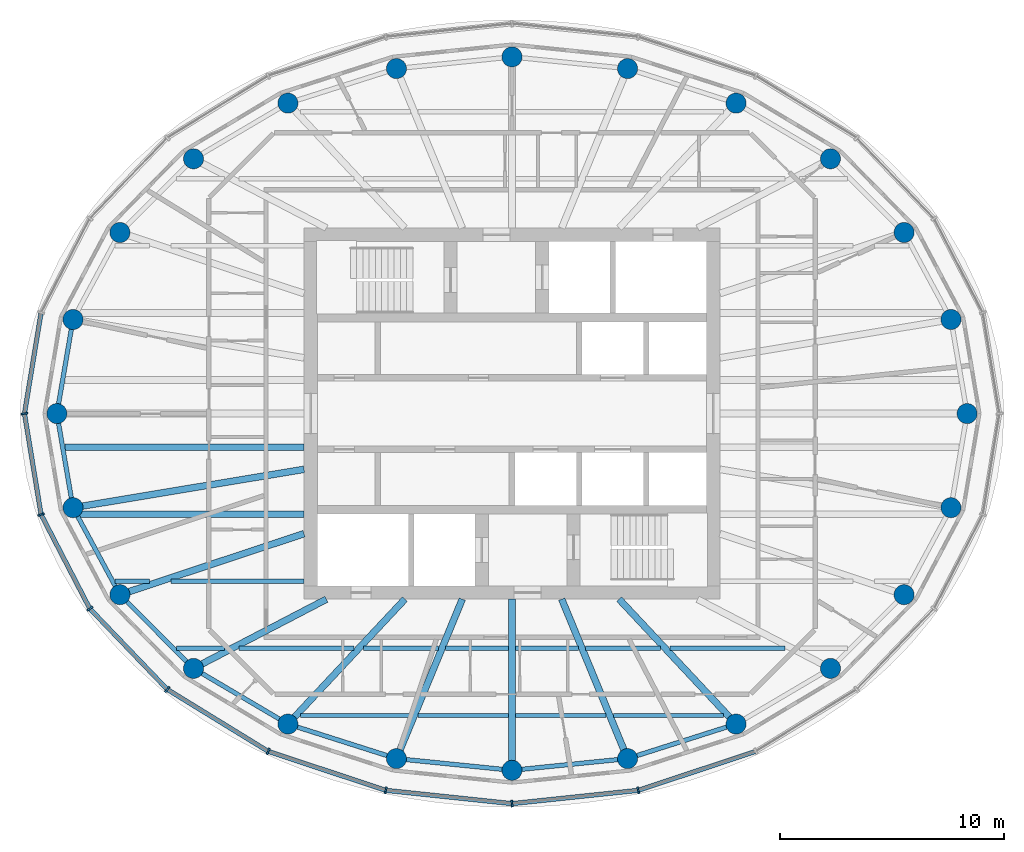
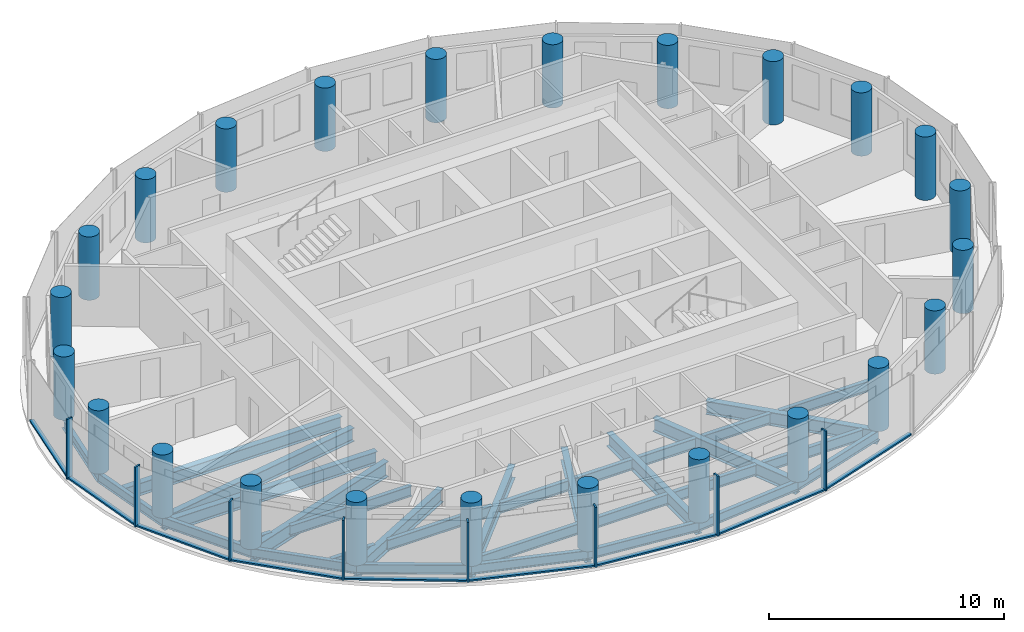
# One storey, part 1 of 11: 32 beams, 24 columns, 17 members, 3 elements without a shape of their own.
"""IFC4 building model written with IfcOpenShell, lengths in metres."""

from ifc_helpers import new_model, si_unit, direction, frame, origin, origin_2d, place, context, subcontext, project, spatial, rectangle, circle, i_section, extrude, material, material_profile, profile_set, type_object, element, aggregate, save


model = new_model("IFC4")

# Units and contexts
model_context = context("Model", 3, precision=1e-05, world=origin(), true_north=direction((0.0, 1.0)))
body_context = subcontext(model_context, "Body", "Model", "MODEL_VIEW")
ifc_project = project(units=[si_unit("LENGTHUNIT", "METRE"), si_unit("AREAUNIT", "SQUARE_METRE"), si_unit("VOLUMEUNIT", "CUBIC_METRE"), si_unit("PLANEANGLEUNIT", "RADIAN"), si_unit("MASSUNIT", "GRAM", prefix="KILO")], contexts=[model_context])

# Site, building, storey
site_placement = place(None, origin())
site = spatial("IfcSite", under=ifc_project, at=site_placement, CompositionType="ELEMENT")
building_placement = place(site_placement, origin())
building = spatial("IfcBuilding", under=site, at=building_placement, Name="Hankou Lantern Tower", CompositionType="ELEMENT")
storey_placement = place(building_placement, frame((0.0, 0.0, 206.10009765625)))
storey = spatial("IfcBuildingStorey", under=building, at=storey_placement, Name="L55", CompositionType="ELEMENT", Elevation=206.10009765625)

# Columns
ifc_material_1 = material(Name="Concrete C50", Category="concrete")
ifc_material_profile_1 = material_profile(ifc_material_1, circle(Radius=0.449951171875, at=origin_2d()), Name="RC D900")
ifc_profile_set_1 = profile_set([ifc_material_profile_1], Name="Concrete C50")
column_type = type_object("IfcColumnType", Name="TC5 PERIMETER COLUMN RC D900", PredefinedType="COLUMN", material=ifc_profile_set_1)
for number, where, z_axis, x_axis, name in (
    (1, (20.35009765625, 0.0, 0.0), (0.0, 0.0, 1.0), (1.0, 0.0, 0.0), "Column R01 L55"),
    (2, (19.629150390625, 4.207763671875, 0.0), (0.0, 0.0, 1.0), (1.0, 0.0, 0.0), "Column R02 L55"),
    (3, (17.5322265625, 8.097900390625, 0.0), (0.0, 0.0, 1.0), (1.0, 0.0, 0.0), "Column R03 L55"),
    (4, (14.241455078125, 11.393310546875, 0.0), (0.0, 0.0, 1.0), (1.0, 0.0, 0.0), "Column R04 L55"),
    (5, (10.01904296875, 13.8828125, 0.0), (0.0, 0.0, 1.0), (1.0, 0.0, 0.0), "Column R05 L55"),
    (6, (5.167236328125, 15.42724609375, 0.0), (0.0, 0.0, 1.0), (1.0, 0.0, 0.0), "Column R06 L55"),
    (7, (0.0, 15.949951171875, 0.0), (0.0, 0.0, 1.0), (1.0, 0.0, 0.0), "Column R07 L55"),
    (8, (-5.167236328125, 15.42724609375, 0.0), (0.0, 0.0, 1.0), (1.0, 0.0, 0.0), "Column R08 L55"),
    (9, (-10.01904296875, 13.8828125, 0.0), (0.0, 0.0, 1.0), (1.0, 0.0, 0.0), "Column R09 L55"),
    (10, (-14.241455078125, 11.393310546875, 0.0), (0.0, 0.0, 1.0), (1.0, 0.0, 0.0), "Column R10 L55"),
    (11, (-17.5322265625, 8.097900390625, 0.0), (0.0, 0.0, 1.0), (1.0, 0.0, 0.0), "Column R11 L55"),
    (12, (-19.629150390625, 4.207763671875, 0.0), (0.0, 0.0, 1.0), (1.0, 0.0, 0.0), "Column R12 L55"),
    (13, (-20.35009765625, 0.0, 0.0), (0.0, 0.0, 1.0), (1.0, 0.0, 0.0), "Column R13 L55"),
    (14, (-19.629150390625, -4.207763671875, 0.0), (0.0, 0.0, 1.0), (1.0, 0.0, 0.0), "Column R14 L55"),
    (15, (-17.5322265625, -8.097900390625, 0.0), (0.0, 0.0, 1.0), (1.0, 0.0, 0.0), "Column R15 L55"),
    (16, (-14.241455078125, -11.393310546875, 0.0), (0.0, 0.0, 1.0), (1.0, 0.0, 0.0), "Column R16 L55"),
    (17, (-10.01904296875, -13.8828125, 0.0), (0.0, 0.0, 1.0), (1.0, 0.0, 0.0), "Column R17 L55"),
    (18, (-5.167236328125, -15.42724609375, 0.0), (0.0, 0.0, 1.0), (1.0, 0.0, 0.0), "Column R18 L55"),
    (19, (0.0, -15.949951171875, 0.0), (0.0, 0.0, 1.0), (1.0, 0.0, 0.0), "Column R19 L55"),
    (20, (5.167236328125, -15.42724609375, 0.0), (0.0, 0.0, 1.0), (1.0, 0.0, 0.0), "Column R20 L55"),
    (21, (10.01904296875, -13.8828125, 0.0), (0.0, 0.0, 1.0), (1.0, 0.0, 0.0), "Column R21 L55"),
    (22, (14.241455078125, -11.393310546875, 0.0), (0.0, 0.0, 1.0), (1.0, 0.0, 0.0), "Column R22 L55"),
    (23, (17.5322265625, -8.097900390625, 0.0), (0.0, 0.0, 1.0), (1.0, 0.0, 0.0), "Column R23 L55"),
    (24, (19.629150390625, -4.207763671875, 0.0), (0.0, 0.0, 1.0), (1.0, 0.0, 0.0), "Column R24 L55"),
):
    element("IfcColumn", number, at=place(storey_placement, frame(where, z_axis=z_axis, x_axis=x_axis)), inside=storey, type_object=column_type, Name=name, PredefinedType="COLUMN", context=body_context, shape_type="SweptSolid", body=[
        extrude(circle(Radius=0.449951171875, at=origin_2d()), origin(), (0.0, 0.0, 1.0), 3.2998046875),
    ])

# Beams
ifc_material_2 = material(Name="Steel Q355B", Category="steel")
ifc_material_profile_2 = material_profile(ifc_material_2, i_section(OverallWidth=0.199951171875, OverallDepth=0.5, WebThickness=0.010009765625, FlangeThickness=0.01611328125, FilletRadius=0.012939453125, at=origin_2d()), Name="HN500x200x10x16")
ifc_profile_set_2 = profile_set([ifc_material_profile_2], Name="Steel Q355B")
beam_type_1 = type_object("IfcBeamType", Name="EB5 RING BEAM HN500x200x10x16", PredefinedType="SPANDREL", material=ifc_profile_set_2)
for number, where, z_axis, x_axis, name in (
    (25, (-19.629150390625, 4.207763671875, -0.43017578125), (-0.168876512999, -0.98563721691, 0.0), (0.98563721691, -0.168876512999, 0.0), "Ring beam R12-R13 L55"),
    (26, (-20.35009765625, 0.0, -0.43017578125), (0.168876512999, -0.98563721691, 0.0), (0.98563721691, 0.168876512999, 0.0), "Ring beam R13-R14 L55"),
):
    element("IfcBeam", number, at=place(storey_placement, frame(where, z_axis=z_axis, x_axis=x_axis)), inside=storey, type_object=beam_type_1, Name=name, PredefinedType="SPANDREL", context=body_context, shape_type="SweptSolid", body=[
        extrude(i_section(OverallWidth=0.199951171875, OverallDepth=0.5, WebThickness=0.010009765625, FlangeThickness=0.01611328125, FilletRadius=0.012939453125, at=origin_2d()), origin(), (0.0, 0.0, 1.0), 4.26904296875),
    ])
beam_1_placement = place(storey_placement, frame((-19.629150390625, -4.207763671875, -0.43017578125), z_axis=(0.474491806611, -0.880259919262, 0.0), x_axis=(0.880259919262, 0.474491806611, 0.0)))
element("IfcBeam", 27, at=beam_1_placement, inside=storey, type_object=beam_type_1, Name="Ring beam R14-R15 L55", PredefinedType="SPANDREL", context=body_context, shape_type="SweptSolid", body=[
    extrude(i_section(OverallWidth=0.199951171875, OverallDepth=0.5, WebThickness=0.010009765625, FlangeThickness=0.01611328125, FilletRadius=0.012939453125, at=origin_2d()), origin(), (0.0, 0.0, 1.0), 4.419189453125),
])
beam_2_placement = place(storey_placement, frame((-17.5322265625, -8.097900390625, -0.43017578125), z_axis=(0.706608588034, -0.707604623583, 0.0), x_axis=(0.707604623583, 0.706608588034, 0.0)))
element("IfcBeam", 28, at=beam_2_placement, inside=storey, type_object=beam_type_1, Name="Ring beam R15-R16 L55", PredefinedType="SPANDREL", context=body_context, shape_type="SweptSolid", body=[
    extrude(i_section(OverallWidth=0.199951171875, OverallDepth=0.5, WebThickness=0.010009765625, FlangeThickness=0.01611328125, FilletRadius=0.012939453125, at=origin_2d()), origin(), (0.0, 0.0, 1.0), 4.6572265625),
])
beam_3_placement = place(storey_placement, frame((-14.241455078125, -11.393310546875, -0.43017578125), z_axis=(0.861422897323, -0.507888365655, 0.0), x_axis=(0.507888365655, 0.861422897323, 0.0)))
element("IfcBeam", 29, at=beam_3_placement, inside=storey, type_object=beam_type_1, Name="Ring beam R16-R17 L55", PredefinedType="SPANDREL", context=body_context, shape_type="SweptSolid", body=[
    extrude(i_section(OverallWidth=0.199951171875, OverallDepth=0.5, WebThickness=0.010009765625, FlangeThickness=0.01611328125, FilletRadius=0.012939453125, at=origin_2d()), origin(), (0.0, 0.0, 1.0), 4.901611328125),
])
beam_4_placement = place(storey_placement, frame((-10.01904296875, -13.8828125, -0.43017578125), z_axis=(0.952887359315, -0.303324381574, 0.0), x_axis=(0.303324381574, 0.952887359315, 0.0)))
element("IfcBeam", 30, at=beam_4_placement, inside=storey, type_object=beam_type_1, Name="Ring beam R17-R18 L55", PredefinedType="SPANDREL", context=body_context, shape_type="SweptSolid", body=[
    extrude(i_section(OverallWidth=0.199951171875, OverallDepth=0.5, WebThickness=0.010009765625, FlangeThickness=0.01611328125, FilletRadius=0.012939453125, at=origin_2d()), origin(), (0.0, 0.0, 1.0), 5.091796875),
])
for number, where, z_axis, x_axis, name in (
    (31, (-5.167236328125, -15.42724609375, -0.43017578125), (0.994922507736, -0.100643944676, 0.0), (0.100643944676, 0.994922507736, 0.0), "Ring beam R18-R19 L55"),
    (32, (0.0, -15.949951171875, -0.43017578125), (0.994922507736, 0.100643944676, 0.0), (-0.100643944676, 0.994922507736, 0.0), "Ring beam R19-R20 L55"),
):
    element("IfcBeam", number, at=place(storey_placement, frame(where, z_axis=z_axis, x_axis=x_axis)), inside=storey, type_object=beam_type_1, Name=name, PredefinedType="SPANDREL", context=body_context, shape_type="SweptSolid", body=[
        extrude(i_section(OverallWidth=0.199951171875, OverallDepth=0.5, WebThickness=0.010009765625, FlangeThickness=0.01611328125, FilletRadius=0.012939453125, at=origin_2d()), origin(), (0.0, 0.0, 1.0), 5.193603515625),
    ])
beam_5_placement = place(storey_placement, frame((5.167236328125, -15.42724609375, -0.43017578125), z_axis=(0.952887359315, 0.303324381574, 0.0), x_axis=(-0.303324381574, 0.952887359315, 0.0)))
element("IfcBeam", 33, at=beam_5_placement, inside=storey, type_object=beam_type_1, Name="Ring beam R20-R21 L55", PredefinedType="SPANDREL", context=body_context, shape_type="SweptSolid", body=[
    extrude(i_section(OverallWidth=0.199951171875, OverallDepth=0.5, WebThickness=0.010009765625, FlangeThickness=0.01611328125, FilletRadius=0.012939453125, at=origin_2d()), origin(), (0.0, 0.0, 1.0), 5.091796875),
])

# Curtain wall, members
ifc_material_3 = material(Name="Glass, dark grey tinted laminated", Category="glass")
curtain_wall_type = type_object("IfcCurtainWallType", Name="CWD OUTER SKIN SUITE", PredefinedType="USERDEFINED", material=ifc_material_3)
curtain_wall_1_placement = place(storey_placement, origin())
curtain_wall_1 = element("IfcCurtainWall", 34, at=curtain_wall_1_placement, inside=storey, type_object=curtain_wall_type, Name="CWD L55 OS3", ObjectType="OUTER SKIN SUITE", PredefinedType="USERDEFINED")
ifc_material_4 = material(Name="Aluminium, black anodised", Category="aluminium")
ifc_material_profile_3 = material_profile(ifc_material_4, rectangle(XDim=0.080078125, YDim=0.300048828125, at=origin_2d()), Name="MU1 80X300")
ifc_profile_set_3 = profile_set([ifc_material_profile_3], Name="Aluminium, black anodised")
member_type_1 = type_object("IfcMemberType", Name="MU1 OUTER SKIN MULLION 80X300", PredefinedType="MULLION", material=ifc_profile_set_3)
member_1_placement = place(storey_placement, frame((-21.800048828125, 0.0, 0.0), z_axis=(0.0, 0.0, 1.0), x_axis=(0.162381515188, -0.986728049427, 0.0)))
member_1 = element("IfcMember", 35, at=member_1_placement, type_object=member_type_1, Name="CWD mullion 1", PredefinedType="MULLION", context=body_context, shape_type="SweptSolid", body=[
    extrude(rectangle(XDim=0.080078125, YDim=0.300048828125, at=origin_2d()), origin(), (0.0, 0.0, 1.0), 3.119873046875),
])
member_2_placement = place(storey_placement, frame((-21.05712890625, -4.513916015625, 0.0), z_axis=(0.0, 0.0, 1.0), x_axis=(0.317595577365, -0.94822626479, 0.0)))
member_2 = element("IfcMember", 36, at=member_2_placement, type_object=member_type_1, Name="CWD mullion 2", PredefinedType="MULLION", context=body_context, shape_type="SweptSolid", body=[
    extrude(rectangle(XDim=0.080078125, YDim=0.300048828125, at=origin_2d()), origin(), (0.0, 0.0, 1.0), 3.119873046875),
])
member_3_placement = place(storey_placement, frame((-18.87939453125, -8.719970703125, 0.0), z_axis=(0.0, 0.0, 1.0), x_axis=(0.585205735974, -0.810884854084, 0.0)))
member_3 = element("IfcMember", 37, at=member_3_placement, type_object=member_type_1, Name="CWD mullion 3", PredefinedType="MULLION", context=body_context, shape_type="SweptSolid", body=[
    extrude(rectangle(XDim=0.080078125, YDim=0.300048828125, at=origin_2d()), origin(), (0.0, 0.0, 1.0), 3.119873046875),
])
member_4_placement = place(storey_placement, frame((-15.4150390625, -12.33203125, 0.0), z_axis=(0.0, 0.0, 1.0), x_axis=(0.780868809444, -0.624695047553, 0.0)))
member_4 = element("IfcMember", 38, at=member_4_placement, type_object=member_type_1, Name="CWD mullion 4", PredefinedType="MULLION", context=body_context, shape_type="SweptSolid", body=[
    extrude(rectangle(XDim=0.080078125, YDim=0.300048828125, at=origin_2d()), origin(), (0.0, 0.0, 1.0), 3.119873046875),
])
member_5_placement = place(storey_placement, frame((-10.89990234375, -15.103515625, 0.0), z_axis=(0.0, 0.0, 1.0), x_axis=(0.907841299004, -0.419313934686, 0.0)))
member_5 = element("IfcMember", 39, at=member_5_placement, type_object=member_type_1, Name="CWD mullion 5", PredefinedType="MULLION", context=body_context, shape_type="SweptSolid", body=[
    extrude(rectangle(XDim=0.080078125, YDim=0.300048828125, at=origin_2d()), origin(), (0.0, 0.0, 1.0), 3.119873046875),
])
member_6_placement = place(storey_placement, frame((-5.642333984375, -16.845703125, 0.0), z_axis=(0.0, 0.0, 1.0), x_axis=(0.977787659625, -0.209597931016, 0.0)))
member_6 = element("IfcMember", 40, at=member_6_placement, type_object=member_type_1, Name="CWD mullion 6", PredefinedType="MULLION", context=body_context, shape_type="SweptSolid", body=[
    extrude(rectangle(XDim=0.080078125, YDim=0.300048828125, at=origin_2d()), origin(), (0.0, 0.0, 1.0), 3.119873046875),
])

curtain_wall_2_placement = place(storey_placement, origin())
curtain_wall_2 = element("IfcCurtainWall", 41, at=curtain_wall_2_placement, inside=storey, type_object=curtain_wall_type, Name="CWD L55 OS4", ObjectType="OUTER SKIN SUITE", PredefinedType="USERDEFINED")
member_7_placement = place(storey_placement, frame((0.0, -17.43994140625, 0.0), z_axis=(0.0, 0.0, 1.0), x_axis=(0.994499359107, 0.104742659579, 0.0)))
member_7 = element("IfcMember", 42, at=member_7_placement, type_object=member_type_1, Name="CWD mullion 1", PredefinedType="MULLION", context=body_context, shape_type="SweptSolid", body=[
    extrude(rectangle(XDim=0.080078125, YDim=0.300048828125, at=origin_2d()), origin(), (0.0, 0.0, 1.0), 3.119873046875),
])
member_8_placement = place(storey_placement, frame((5.642333984375, -16.845703125, 0.0), z_axis=(0.0, 0.0, 1.0), x_axis=(0.977787659625, 0.209597931016, 0.0)))
member_8 = element("IfcMember", 43, at=member_8_placement, type_object=member_type_1, Name="CWD mullion 2", PredefinedType="MULLION", context=body_context, shape_type="SweptSolid", body=[
    extrude(rectangle(XDim=0.080078125, YDim=0.300048828125, at=origin_2d()), origin(), (0.0, 0.0, 1.0), 3.119873046875),
])

# Beams
ifc_material_5 = material(Name="Steel Q355B", Category="steel")
ifc_material_profile_4 = material_profile(ifc_material_5, i_section(OverallWidth=0.300048828125, OverallDepth=0.800048828125, WebThickness=0.013916015625, FlangeThickness=0.02587890625, FilletRadius=0.01806640625, at=origin_2d()), Name="HN800x300x14x26")
ifc_profile_set_4 = profile_set([ifc_material_profile_4], Name="Steel Q355B")
beam_type_2 = type_object("IfcBeamType", Name="RB11 RADIAL BEAM HN800x300x14x26", PredefinedType="BEAM", material=ifc_profile_set_4)
beam_6_placement = place(storey_placement, frame((-9.300048828125, -5.369384765625, -0.580078125), z_axis=(-0.949219608576, -0.314614263337, 0.0), x_axis=(0.314614263337, -0.949219608576, 0.0)))
element("IfcBeam", 44, at=beam_6_placement, inside=storey, type_object=beam_type_2, Name="Radial beam R15 L55", PredefinedType="BEAM", context=body_context, shape_type="SweptSolid", body=[
    extrude(i_section(OverallWidth=0.300048828125, OverallDepth=0.800048828125, WebThickness=0.013916015625, FlangeThickness=0.02587890625, FilletRadius=0.01806640625, at=origin_2d()), origin(), (0.0, 0.0, 1.0), 8.672607421875),
])
ifc_material_6 = material(Name="Steel Q355B", Category="steel")
ifc_material_profile_5 = material_profile(ifc_material_6, i_section(OverallWidth=0.300048828125, OverallDepth=0.699951171875, WebThickness=0.012939453125, FlangeThickness=0.02392578125, FilletRadius=0.01806640625, at=origin_2d()), Name="HN700x300x13x24")
ifc_profile_set_5 = profile_set([ifc_material_profile_5], Name="Steel Q355B")
beam_type_3 = type_object("IfcBeamType", Name="RB9 RADIAL BEAM HN700x300x13x24", PredefinedType="BEAM", material=ifc_profile_set_5)
beam_7_placement = place(storey_placement, frame((-9.300048828125, -2.491943359375, -0.530029296875), z_axis=(-0.986482007061, -0.163869612027, 0.0), x_axis=(0.163869612027, -0.986482007061, 0.0)))
element("IfcBeam", 45, at=beam_7_placement, inside=storey, type_object=beam_type_3, Name="Radial beam R14 L55", PredefinedType="BEAM", context=body_context, shape_type="SweptSolid", body=[
    extrude(i_section(OverallWidth=0.300048828125, OverallDepth=0.699951171875, WebThickness=0.012939453125, FlangeThickness=0.02392578125, FilletRadius=0.01806640625, at=origin_2d()), origin(), (0.0, 0.0, 1.0), 10.470703125),
])
beam_8_placement = place(storey_placement, frame((-8.300048828125, -8.300048828125, -0.530029296875), z_axis=(-0.886988734783, -0.461791061378, 0.0), x_axis=(0.461791061378, -0.886988734783, 0.0)))
element("IfcBeam", 46, at=beam_8_placement, inside=storey, type_object=beam_type_3, Name="Radial beam R16 L55", PredefinedType="BEAM", context=body_context, shape_type="SweptSolid", body=[
    extrude(i_section(OverallWidth=0.300048828125, OverallDepth=0.699951171875, WebThickness=0.012939453125, FlangeThickness=0.02392578125, FilletRadius=0.01806640625, at=origin_2d()), origin(), (0.0, 0.0, 1.0), 6.698486328125),
])
beam_9_placement = place(storey_placement, frame((-4.7919921875, -8.300048828125, -0.530029296875), z_axis=(-0.68346844743, -0.729980055459, 0.0), x_axis=(0.729980055459, -0.68346844743, 0.0)))
element("IfcBeam", 47, at=beam_9_placement, inside=storey, type_object=beam_type_3, Name="Radial beam R17 L55", PredefinedType="BEAM", context=body_context, shape_type="SweptSolid", body=[
    extrude(i_section(OverallWidth=0.300048828125, OverallDepth=0.699951171875, WebThickness=0.012939453125, FlangeThickness=0.02392578125, FilletRadius=0.01806640625, at=origin_2d()), origin(), (0.0, 0.0, 1.0), 7.64794921875),
])
beam_10_placement = place(storey_placement, frame((-2.223876953125, -8.300048828125, -0.530029296875), z_axis=(-0.381706648123, -0.924283525104, 0.0), x_axis=(0.924283525104, -0.381706648123, 0.0)))
element("IfcBeam", 48, at=beam_10_placement, inside=storey, type_object=beam_type_3, Name="Radial beam R18 L55", PredefinedType="BEAM", context=body_context, shape_type="SweptSolid", body=[
    extrude(i_section(OverallWidth=0.300048828125, OverallDepth=0.699951171875, WebThickness=0.012939453125, FlangeThickness=0.02392578125, FilletRadius=0.01806640625, at=origin_2d()), origin(), (0.0, 0.0, 1.0), 7.7109375),
])
beam_11_placement = place(storey_placement, frame((0.0, -8.300048828125, -0.530029296875), z_axis=(0.0, -1.0, 0.0), x_axis=(1.0, 0.0, 0.0)))
element("IfcBeam", 49, at=beam_11_placement, inside=storey, type_object=beam_type_3, Name="Radial beam R19 L55", PredefinedType="BEAM", context=body_context, shape_type="SweptSolid", body=[
    extrude(i_section(OverallWidth=0.300048828125, OverallDepth=0.699951171875, WebThickness=0.012939453125, FlangeThickness=0.02392578125, FilletRadius=0.01806640625, at=origin_2d()), origin(), (0.0, 0.0, 1.0), 7.64990234375),
])
beam_12_placement = place(storey_placement, frame((2.223876953125, -8.300048828125, -0.530029296875), z_axis=(0.381706648123, -0.924283525104, 0.0), x_axis=(0.924283525104, 0.381706648123, 0.0)))
element("IfcBeam", 50, at=beam_12_placement, inside=storey, type_object=beam_type_3, Name="Radial beam R20 L55", PredefinedType="BEAM", context=body_context, shape_type="SweptSolid", body=[
    extrude(i_section(OverallWidth=0.300048828125, OverallDepth=0.699951171875, WebThickness=0.012939453125, FlangeThickness=0.02392578125, FilletRadius=0.01806640625, at=origin_2d()), origin(), (0.0, 0.0, 1.0), 7.7109375),
])
beam_13_placement = place(storey_placement, frame((4.7919921875, -8.300048828125, -0.530029296875), z_axis=(0.68346844743, -0.729980055459, 0.0), x_axis=(0.729980055459, 0.68346844743, 0.0)))
element("IfcBeam", 51, at=beam_13_placement, inside=storey, type_object=beam_type_3, Name="Radial beam R21 L55", PredefinedType="BEAM", context=body_context, shape_type="SweptSolid", body=[
    extrude(i_section(OverallWidth=0.300048828125, OverallDepth=0.699951171875, WebThickness=0.012939453125, FlangeThickness=0.02392578125, FilletRadius=0.01806640625, at=origin_2d()), origin(), (0.0, 0.0, 1.0), 7.64794921875),
])
ifc_material_7 = material(Name="Steel Q355B", Category="steel")
ifc_material_profile_6 = material_profile(ifc_material_7, i_section(OverallWidth=0.199951171875, OverallDepth=0.550048828125, WebThickness=0.010009765625, FlangeThickness=0.01611328125, FilletRadius=0.012939453125, at=origin_2d()), Name="HN550x200x10x16")
ifc_profile_set_6 = profile_set([ifc_material_profile_6], Name="Steel Q355B")
beam_type_4 = type_object("IfcBeamType", Name="SB6 SECONDARY BEAM HN550x200x10x16", PredefinedType="JOIST", material=ifc_profile_set_6)
beam_14_placement = place(storey_placement, frame((-9.455078125, -13.5, -0.455078125), z_axis=(1.0, 0.0, 0.0), x_axis=(0.0, 1.0, 0.0)))
element("IfcBeam", 52, at=beam_14_placement, inside=storey, type_object=beam_type_4, Name="Floor joist J001 L55", PredefinedType="JOIST", context=body_context, shape_type="SweptSolid", body=[
    extrude(i_section(OverallWidth=0.199951171875, OverallDepth=0.550048828125, WebThickness=0.010009765625, FlangeThickness=0.01611328125, FilletRadius=0.012939453125, at=origin_2d()), origin(), (0.0, 0.0, 1.0), 4.92138671875),
])
for number, where, z_axis, x_axis, name in (
    (53, (-4.208984375, -13.5, -0.455078125), (1.0, 0.0, 0.0), (0.0, 1.0, 0.0), "Floor joist J002 L55"),
    (54, (0.14990234375, -13.5, -0.455078125), (1.0, 0.0, 0.0), (0.0, 1.0, 0.0), "Floor joist J003 L55"),
):
    element("IfcBeam", number, at=place(storey_placement, frame(where, z_axis=z_axis, x_axis=x_axis)), inside=storey, type_object=beam_type_4, Name=name, PredefinedType="JOIST", context=body_context, shape_type="SweptSolid", body=[
        extrude(i_section(OverallWidth=0.199951171875, OverallDepth=0.550048828125, WebThickness=0.010009765625, FlangeThickness=0.01611328125, FilletRadius=0.012939453125, at=origin_2d()), origin(), (0.0, 0.0, 1.0), 4.05908203125),
    ])
beam_15_placement = place(storey_placement, frame((4.53369140625, -13.5, -0.455078125), z_axis=(1.0, 0.0, 0.0), x_axis=(0.0, 1.0, 0.0)))
element("IfcBeam", 55, at=beam_15_placement, inside=storey, type_object=beam_type_4, Name="Floor joist J004 L55", PredefinedType="JOIST", context=body_context, shape_type="SweptSolid", body=[
    extrude(i_section(OverallWidth=0.199951171875, OverallDepth=0.550048828125, WebThickness=0.010009765625, FlangeThickness=0.01611328125, FilletRadius=0.012939453125, at=origin_2d()), origin(), (0.0, 0.0, 1.0), 4.92138671875),
])
beam_16_placement = place(storey_placement, frame((-14.9921875, -10.5, -0.455078125), z_axis=(1.0, 0.0, 0.0), x_axis=(0.0, 1.0, 0.0)))
element("IfcBeam", 56, at=beam_16_placement, inside=storey, type_object=beam_type_4, Name="Floor joist J005 L55", PredefinedType="JOIST", context=body_context, shape_type="SweptSolid", body=[
    extrude(i_section(OverallWidth=0.199951171875, OverallDepth=0.550048828125, WebThickness=0.010009765625, FlangeThickness=0.01611328125, FilletRadius=0.012939453125, at=origin_2d()), origin(), (0.0, 0.0, 1.0), 2.1416015625),
])
beam_17_placement = place(storey_placement, frame((-12.200927734375, -10.5, -0.455078125), z_axis=(1.0, 0.0, 0.0), x_axis=(0.0, 1.0, 0.0)))
element("IfcBeam", 57, at=beam_17_placement, inside=storey, type_object=beam_type_4, Name="Floor joist J006 L55", PredefinedType="JOIST", context=body_context, shape_type="SweptSolid", body=[
    extrude(i_section(OverallWidth=0.199951171875, OverallDepth=0.550048828125, WebThickness=0.010009765625, FlangeThickness=0.01611328125, FilletRadius=0.012939453125, at=origin_2d()), origin(), (0.0, 0.0, 1.0), 5.1435546875),
])
beam_18_placement = place(storey_placement, frame((-6.646240234375, -10.5, -0.455078125), z_axis=(1.0, 0.0, 0.0), x_axis=(0.0, 1.0, 0.0)))
element("IfcBeam", 58, at=beam_18_placement, inside=storey, type_object=beam_type_4, Name="Floor joist J007 L55", PredefinedType="JOIST", context=body_context, shape_type="SweptSolid", body=[
    extrude(i_section(OverallWidth=0.199951171875, OverallDepth=0.550048828125, WebThickness=0.010009765625, FlangeThickness=0.01611328125, FilletRadius=0.012939453125, at=origin_2d()), origin(), (0.0, 0.0, 1.0), 3.3515625),
])
for number, where, z_axis, x_axis, name in (
    (59, (-2.97021484375, -10.5, -0.455078125), (1.0, 0.0, 0.0), (0.0, 1.0, 0.0), "Floor joist J008 L55"),
    (60, (0.14990234375, -10.5, -0.455078125), (1.0, 0.0, 0.0), (0.0, 1.0, 0.0), "Floor joist J009 L55"),
):
    element("IfcBeam", number, at=place(storey_placement, frame(where, z_axis=z_axis, x_axis=x_axis)), inside=storey, type_object=beam_type_4, Name=name, PredefinedType="JOIST", context=body_context, shape_type="SweptSolid", body=[
        extrude(i_section(OverallWidth=0.199951171875, OverallDepth=0.550048828125, WebThickness=0.010009765625, FlangeThickness=0.01611328125, FilletRadius=0.012939453125, at=origin_2d()), origin(), (0.0, 0.0, 1.0), 2.8203125),
    ])
beam_19_placement = place(storey_placement, frame((3.294677734375, -10.5, -0.455078125), z_axis=(1.0, 0.0, 0.0), x_axis=(0.0, 1.0, 0.0)))
element("IfcBeam", 61, at=beam_19_placement, inside=storey, type_object=beam_type_4, Name="Floor joist J010 L55", PredefinedType="JOIST", context=body_context, shape_type="SweptSolid", body=[
    extrude(i_section(OverallWidth=0.199951171875, OverallDepth=0.550048828125, WebThickness=0.010009765625, FlangeThickness=0.01611328125, FilletRadius=0.012939453125, at=origin_2d()), origin(), (0.0, 0.0, 1.0), 3.3515625),
])
beam_20_placement = place(storey_placement, frame((7.057373046875, -10.5, -0.455078125), z_axis=(1.0, 0.0, 0.0), x_axis=(0.0, 1.0, 0.0)))
element("IfcBeam", 62, at=beam_20_placement, inside=storey, type_object=beam_type_4, Name="Floor joist J011 L55", PredefinedType="JOIST", context=body_context, shape_type="SweptSolid", body=[
    extrude(i_section(OverallWidth=0.199951171875, OverallDepth=0.550048828125, WebThickness=0.010009765625, FlangeThickness=0.01611328125, FilletRadius=0.012939453125, at=origin_2d()), origin(), (0.0, 0.0, 1.0), 5.1435546875),
])
beam_21_placement = place(storey_placement, frame((-17.740966796875, -7.5, -0.455078125), z_axis=(1.0, 0.0, 0.0), x_axis=(0.0, 1.0, 0.0)))
element("IfcBeam", 63, at=beam_21_placement, inside=storey, type_object=beam_type_4, Name="Floor joist J013 L55", PredefinedType="JOIST", context=body_context, shape_type="SweptSolid", body=[
    extrude(i_section(OverallWidth=0.199951171875, OverallDepth=0.550048828125, WebThickness=0.010009765625, FlangeThickness=0.01611328125, FilletRadius=0.012939453125, at=origin_2d()), origin(), (0.0, 0.0, 1.0), 1.53564453125),
])
beam_22_placement = place(storey_placement, frame((-15.251708984375, -7.5, -0.455078125), z_axis=(1.0, 0.0, 0.0), x_axis=(0.0, 1.0, 0.0)))
element("IfcBeam", 64, at=beam_22_placement, inside=storey, type_object=beam_type_4, Name="Floor joist J014 L55", PredefinedType="JOIST", context=body_context, shape_type="SweptSolid", body=[
    extrude(i_section(OverallWidth=0.199951171875, OverallDepth=0.550048828125, WebThickness=0.010009765625, FlangeThickness=0.01611328125, FilletRadius=0.012939453125, at=origin_2d()), origin(), (0.0, 0.0, 1.0), 5.95166015625),
])
ifc_material_8 = material(Name="Steel Q355B", Category="steel")
ifc_material_profile_7 = material_profile(ifc_material_8, i_section(OverallWidth=0.300048828125, OverallDepth=0.64990234375, WebThickness=0.010986328125, FlangeThickness=0.01708984375, FilletRadius=0.01806640625, at=origin_2d()), Name="HN650x300x11x17")
ifc_profile_set_7 = profile_set([ifc_material_profile_7], Name="Steel Q355B")
beam_type_5 = type_object("IfcBeamType", Name="SB8 SECONDARY BEAM HN650x300x11x17", PredefinedType="JOIST", material=ifc_profile_set_7)
beam_23_placement = place(storey_placement, frame((-19.35791015625, -4.5, -0.505126953125), z_axis=(1.0, 0.0, 0.0), x_axis=(0.0, 1.0, 0.0)))
element("IfcBeam", 65, at=beam_23_placement, inside=storey, type_object=beam_type_5, Name="Floor joist J017 L55", PredefinedType="JOIST", context=body_context, shape_type="SweptSolid", body=[
    extrude(i_section(OverallWidth=0.300048828125, OverallDepth=0.64990234375, WebThickness=0.010986328125, FlangeThickness=0.01708984375, FilletRadius=0.01806640625, at=origin_2d()), origin(), (0.0, 0.0, 1.0), 10.057861328125),
])
beam_24_placement = place(storey_placement, frame((-19.991455078125, -1.5, -0.505126953125), z_axis=(1.0, 0.0, 0.0), x_axis=(0.0, 1.0, 0.0)))
element("IfcBeam", 66, at=beam_24_placement, inside=storey, type_object=beam_type_5, Name="Floor joist J019 L55", PredefinedType="JOIST", context=body_context, shape_type="SweptSolid", body=[
    extrude(i_section(OverallWidth=0.300048828125, OverallDepth=0.64990234375, WebThickness=0.010986328125, FlangeThickness=0.01708984375, FilletRadius=0.01806640625, at=origin_2d()), origin(), (0.0, 0.0, 1.0), 10.69140625),
])

# Curtain wall, member
curtain_wall_3_placement = place(storey_placement, origin())
curtain_wall_3 = element("IfcCurtainWall", 67, at=curtain_wall_3_placement, inside=storey, type_object=curtain_wall_type, Name="CWD L55 OS2", ObjectType="OUTER SKIN SUITE", PredefinedType="USERDEFINED")
ifc_material_9 = material(Name="Aluminium, black anodised", Category="aluminium")
ifc_material_profile_8 = material_profile(ifc_material_9, rectangle(XDim=0.199951171875, YDim=0.080078125, at=origin_2d()), Name="TR1 200X80")
ifc_profile_set_8 = profile_set([ifc_material_profile_8], Name="Aluminium, black anodised")
member_type_2 = type_object("IfcMemberType", Name="TR1 OUTER SKIN TRANSOM 200X80", PredefinedType="USERDEFINED", material=ifc_profile_set_8)
member_9_placement = place(storey_placement, frame((-21.063720703125, 4.474365234375, 0.039794921875), z_axis=(-0.162363822839, -0.986730960816, 0.0), x_axis=(0.986730960816, -0.162363822839, 0.0)))
member_9 = element("IfcMember", 68, at=member_9_placement, type_object=member_type_2, Name="CWD transom 6", ObjectType="TRANSOM", PredefinedType="USERDEFINED", context=body_context, shape_type="SweptSolid", body=[
    extrude(rectangle(XDim=0.199951171875, YDim=0.080078125, at=origin_2d()), origin(), (0.0, 0.0, 1.0), 4.494384765625),
])
aggregate(curtain_wall_3, [member_9])

# Member
member_10_placement = place(storey_placement, frame((-21.79345703125, -0.03955078125, 0.039794921875), z_axis=(0.162363822839, -0.986730960816, 0.0), x_axis=(0.986730960816, 0.162363822839, 0.0)))
member_10 = element("IfcMember", 69, at=member_10_placement, type_object=member_type_2, Name="CWD transom 1", ObjectType="TRANSOM", PredefinedType="USERDEFINED", context=body_context, shape_type="SweptSolid", body=[
    extrude(rectangle(XDim=0.199951171875, YDim=0.080078125, at=origin_2d()), origin(), (0.0, 0.0, 1.0), 4.494384765625),
])

member_11_placement = place(storey_placement, frame((-21.038818359375, -4.54931640625, 0.039794921875), z_axis=(0.45979371115, -0.888025755925, 0.0), x_axis=(0.888025755925, 0.45979371115, 0.0)))
member_11 = element("IfcMember", 70, at=member_11_placement, type_object=member_type_2, Name="CWD transom 2", ObjectType="TRANSOM", PredefinedType="USERDEFINED", context=body_context, shape_type="SweptSolid", body=[
    extrude(rectangle(XDim=0.199951171875, YDim=0.080078125, at=origin_2d()), origin(), (0.0, 0.0, 1.0), 4.65673828125),
])

member_12_placement = place(storey_placement, frame((-18.8515625, -8.748779296875, 0.039794921875), z_axis=(0.692204633274, -0.721701285626, 0.0), x_axis=(0.721701285626, 0.692204633274, 0.0)))
member_12 = element("IfcMember", 71, at=member_12_placement, type_object=member_type_2, Name="CWD transom 3", ObjectType="TRANSOM", PredefinedType="USERDEFINED", context=body_context, shape_type="SweptSolid", body=[
    extrude(rectangle(XDim=0.199951171875, YDim=0.080078125, at=origin_2d()), origin(), (0.0, 0.0, 1.0), 4.9248046875),
])

member_13_placement = place(storey_placement, frame((-15.380859375, -12.352783203125, 0.039794921875), z_axis=(0.852234544008, -0.523159900986, 0.0), x_axis=(0.523159900986, 0.852234544008, 0.0)))
member_13 = element("IfcMember", 72, at=member_13_placement, type_object=member_type_2, Name="CWD transom 4", ObjectType="TRANSOM", PredefinedType="USERDEFINED", context=body_context, shape_type="SweptSolid", body=[
    extrude(rectangle(XDim=0.199951171875, YDim=0.080078125, at=origin_2d()), origin(), (0.0, 0.0, 1.0), 5.2177734375),
])

member_14_placement = place(storey_placement, frame((-10.862060546875, -15.115966796875, 0.039794921875), z_axis=(0.949231947668, -0.314577032739, 0.0), x_axis=(0.314577032739, 0.949231947668, 0.0)))
member_14 = element("IfcMember", 73, at=member_14_placement, type_object=member_type_2, Name="CWD transom 5", ObjectType="TRANSOM", PredefinedType="USERDEFINED", context=body_context, shape_type="SweptSolid", body=[
    extrude(rectangle(XDim=0.199951171875, YDim=0.080078125, at=origin_2d()), origin(), (0.0, 0.0, 1.0), 5.458984375),
])

member_15_placement = place(storey_placement, frame((-5.6025390625, -16.849853515625, 0.039794921875), z_axis=(0.994498275726, -0.104752945435, 0.0), x_axis=(0.104752945435, 0.994498275726, 0.0)))
member_15 = element("IfcMember", 74, at=member_15_placement, type_object=member_type_2, Name="CWD transom 6", ObjectType="TRANSOM", PredefinedType="USERDEFINED", context=body_context, shape_type="SweptSolid", body=[
    extrude(rectangle(XDim=0.199951171875, YDim=0.080078125, at=origin_2d()), origin(), (0.0, 0.0, 1.0), 5.593505859375),
])

aggregate(curtain_wall_1, [member_1, member_2, member_3, member_4, member_5, member_6, member_10, member_11, member_12, member_13, member_14, member_15])

member_16_placement = place(storey_placement, frame((0.039794921875, -17.435791015625, 0.039794921875), z_axis=(0.994498275726, 0.104752945435, 0.0), x_axis=(-0.104752945435, 0.994498275726, 0.0)))
member_16 = element("IfcMember", 75, at=member_16_placement, type_object=member_type_2, Name="CWD transom 1", ObjectType="TRANSOM", PredefinedType="USERDEFINED", context=body_context, shape_type="SweptSolid", body=[
    extrude(rectangle(XDim=0.199951171875, YDim=0.080078125, at=origin_2d()), origin(), (0.0, 0.0, 1.0), 5.593505859375),
])

member_17_placement = place(storey_placement, frame((5.68017578125, -16.833251953125, 0.039794921875), z_axis=(0.949231947668, 0.314577032739, 0.0), x_axis=(-0.314577032739, 0.949231947668, 0.0)))
member_17 = element("IfcMember", 76, at=member_17_placement, type_object=member_type_2, Name="CWD transom 2", ObjectType="TRANSOM", PredefinedType="USERDEFINED", context=body_context, shape_type="SweptSolid", body=[
    extrude(rectangle(XDim=0.199951171875, YDim=0.080078125, at=origin_2d()), origin(), (0.0, 0.0, 1.0), 5.458984375),
])

aggregate(curtain_wall_2, [member_7, member_8, member_16, member_17])

save(model, "model.ifc")
